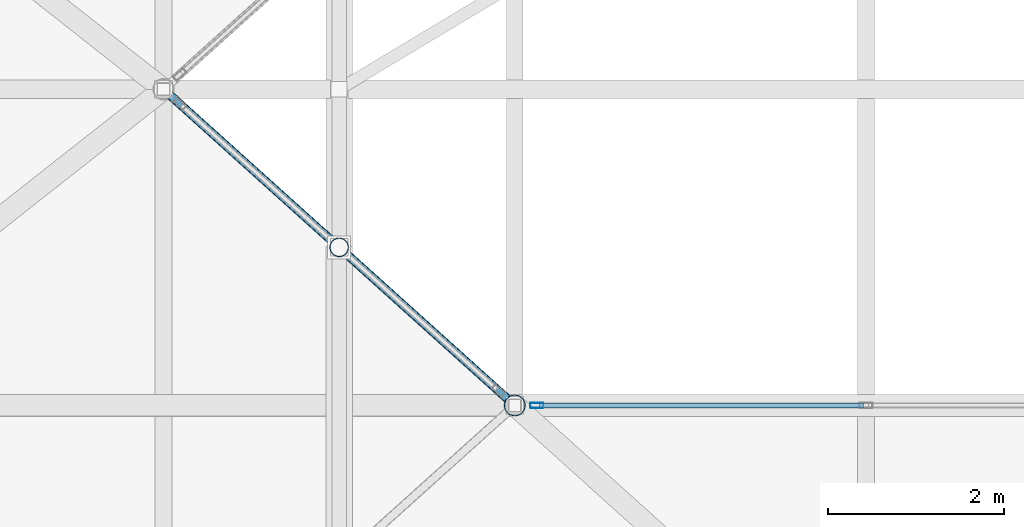
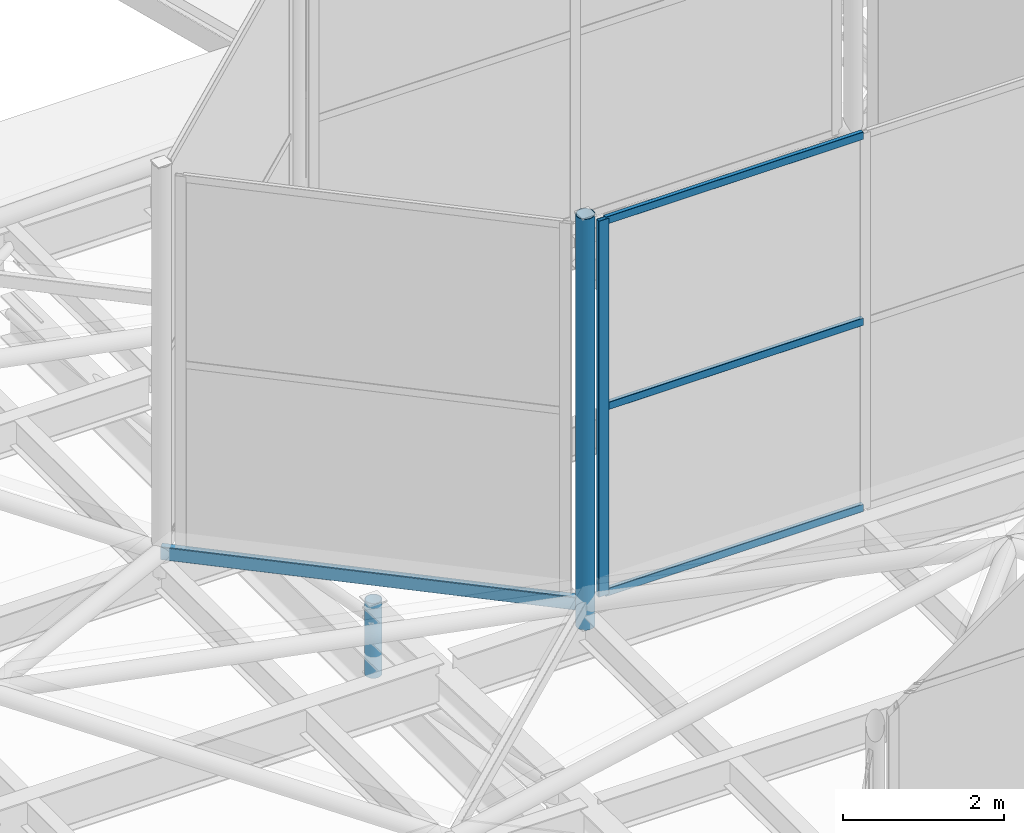
# One storey, part 68 of 239: 6 members, 1 beam, 1 element without a shape of its own.
"""IFC4 building model written with IfcOpenShell, lengths in metres."""

from ifc_helpers import new_model, si_unit, direction, frame, origin, origin_2d, place, context, subcontext, project, spatial, hollow_rectangle, hollow_circle, extrude, material, layer, layer_set, material_profile, profile_set, type_object, element, aggregate, save


model = new_model("IFC4")

# Units and contexts
model_context = context("Model", 3, precision=1e-05, world=origin(), true_north=direction((0.0, 1.0)))
body_context = subcontext(model_context, "Body", "Model", "MODEL_VIEW")
ifc_project = project(units=[si_unit("LENGTHUNIT", "METRE"), si_unit("AREAUNIT", "SQUARE_METRE"), si_unit("VOLUMEUNIT", "CUBIC_METRE"), si_unit("PLANEANGLEUNIT", "RADIAN"), si_unit("MASSUNIT", "GRAM", prefix="KILO")], contexts=[model_context])

# Site, building, storey
site_placement = place(None, origin())
site = spatial("IfcSite", under=ifc_project, at=site_placement, CompositionType="ELEMENT")
building_placement = place(site_placement, origin())
building = spatial("IfcBuilding", under=site, at=building_placement, Name="Dunvalen Ferry Terminal", CompositionType="ELEMENT")
storey_placement = place(building_placement, frame((0.0, 0.0, 9.840087890625)))
storey = spatial("IfcBuildingStorey", under=building, at=storey_placement, Name="L02", CompositionType="ELEMENT", Elevation=9.840087890625)

# Curtain wall, members
ifc_material_1 = material(Name="Anodised marine aluminium and solar-control glazing", Category="aluminium")
ifc_layer = layer(ifc_material_1, 0.179931640625, Name="Anodised marine aluminium and solar-control glazing")
ifc_layer_set = layer_set([ifc_layer], Name="Anodised marine aluminium and solar-control glazing")
curtain_wall_type = type_object("IfcCurtainWallType", Name="ENV-CW-SYS-06", PredefinedType="NOTDEFINED", material=ifc_layer_set)
curtain_wall_placement = place(storey_placement, origin())
curtain_wall = element("IfcCurtainWall", 1, at=curtain_wall_placement, inside=storey, type_object=curtain_wall_type, Name="L02 Curtain Wall CW-HEX-16-SK-2", PredefinedType="NOTDEFINED")
ifc_material_2 = material(Name="Anodised marine aluminium EN AW-6063 T6", Category="aluminium")
ifc_material_profile_1 = material_profile(ifc_material_2, hollow_rectangle(XDim=0.06005859375, YDim=0.14990234375, WallThickness=0.00341796875, InnerFilletRadius=0.00341796875, OuterFilletRadius=0.007080078125, at=origin_2d()), Name="Anodised marine aluminium EN AW-6063 T6")
ifc_profile_set_1 = profile_set([ifc_material_profile_1], Name="Anodised marine aluminium EN AW-6063 T6")
member_type_1 = type_object("IfcMemberType", Name="ENV-CW-MUL-3", PredefinedType="MULLION", material=ifc_profile_set_1)
member_1_placement = place(storey_placement, frame((26.25, 75.60009765625, 1.139892578125), z_axis=(0.0, 0.0, 1.0), x_axis=(0.0, 1.0, 0.0)))
member_1 = element("IfcMember", 2, at=member_1_placement, type_object=member_type_1, Name="CW-06 mullion 1", PredefinedType="MULLION", context=body_context, shape_type="SweptSolid", body=[
    extrude(hollow_rectangle(XDim=0.06005859375, YDim=0.14990234375, WallThickness=0.00341796875, InnerFilletRadius=0.00341796875, OuterFilletRadius=0.007080078125, at=origin_2d()), origin(), (0.0, 0.0, 1.0), 5.699951171875),
])
ifc_material_profile_2 = material_profile(ifc_material_2, hollow_rectangle(XDim=0.06005859375, YDim=0.114990234375, WallThickness=0.0029296875, InnerFilletRadius=0.0029296875, OuterFilletRadius=0.006103515625, at=origin_2d()), Name="Anodised marine aluminium EN AW-6063 T6")
ifc_profile_set_2 = profile_set([ifc_material_profile_2], Name="Anodised marine aluminium EN AW-6063 T6")
member_type_2 = type_object("IfcMemberType", Name="ENV-CW-TRN-3", PredefinedType="USERDEFINED", material=ifc_profile_set_2)
member_2_placement = place(storey_placement, frame((26.280029296875, 75.60009765625, 1.169921875), z_axis=(1.0, 0.0, 0.0), x_axis=(0.0, 1.0, 0.0)))
member_2 = element("IfcMember", 3, at=member_2_placement, type_object=member_type_2, Name="CW-06 transom 1.1", ObjectType="TRANSOM", PredefinedType="USERDEFINED", context=body_context, shape_type="SweptSolid", body=[
    extrude(hollow_rectangle(XDim=0.06005859375, YDim=0.114990234375, WallThickness=0.0029296875, InnerFilletRadius=0.0029296875, OuterFilletRadius=0.006103515625, at=origin_2d()), origin(), (0.0, 0.0, 1.0), 3.68994140625),
])
member_3_placement = place(storey_placement, frame((26.280029296875, 75.60009765625, 3.989990234375), z_axis=(1.0, 0.0, 0.0), x_axis=(0.0, 1.0, 0.0)))
member_3 = element("IfcMember", 4, at=member_3_placement, type_object=member_type_2, Name="CW-06 transom 1.2", ObjectType="TRANSOM", PredefinedType="USERDEFINED", context=body_context, shape_type="SweptSolid", body=[
    extrude(hollow_rectangle(XDim=0.06005859375, YDim=0.114990234375, WallThickness=0.0029296875, InnerFilletRadius=0.0029296875, OuterFilletRadius=0.006103515625, at=origin_2d()), origin(), (0.0, 0.0, 1.0), 3.68994140625),
])
member_4_placement = place(storey_placement, frame((26.280029296875, 75.60009765625, 6.809814453125), z_axis=(1.0, 0.0, 0.0), x_axis=(0.0, 1.0, 0.0)))
member_4 = element("IfcMember", 5, at=member_4_placement, type_object=member_type_2, Name="CW-06 transom 1.3", ObjectType="TRANSOM", PredefinedType="USERDEFINED", context=body_context, shape_type="SweptSolid", body=[
    extrude(hollow_rectangle(XDim=0.06005859375, YDim=0.114990234375, WallThickness=0.0029296875, InnerFilletRadius=0.0029296875, OuterFilletRadius=0.006103515625, at=origin_2d()), origin(), (0.0, 0.0, 1.0), 3.68994140625),
])
aggregate(curtain_wall, [member_1, member_2, member_3, member_4])

# Beam
ifc_material_3 = material(Name="Steel S355", Category="steel")
ifc_material_profile_3 = material_profile(ifc_material_3, hollow_rectangle(XDim=0.10009765625, YDim=0.199951171875, WallThickness=0.008056640625, InnerFilletRadius=0.008056640625, OuterFilletRadius=0.01611328125, at=origin_2d()), Name="Steel S355")
ifc_profile_set_3 = profile_set([ifc_material_profile_3], Name="Steel S355")
beam_type = type_object("IfcBeamType", Name="STR-BM-RHS200", PredefinedType="BEAM", material=ifc_profile_set_3)
beam_placement = place(storey_placement, frame((26.0, 75.60009765625, 1.099853515625), z_axis=(-0.74330768127, 0.668949692402, 0.0), x_axis=(-0.668949692402, -0.74330768127, 0.0)))
element("IfcBeam", 6, at=beam_placement, inside=storey, type_object=beam_type, Name="HEX-10 Hexagonal Rim Beam 5", PredefinedType="BEAM", context=body_context, shape_type="SweptSolid", body=[
    extrude(hollow_rectangle(XDim=0.10009765625, YDim=0.199951171875, WallThickness=0.008056640625, InnerFilletRadius=0.008056640625, OuterFilletRadius=0.01611328125, at=origin_2d()), origin(), (0.0, 0.0, 1.0), 5.38134765625),
])

# Members
ifc_material_profile_4 = material_profile(ifc_material_3, hollow_circle(Radius=0.109619140625, WallThickness=0.010009765625, at=origin_2d()), Name="Steel S355")
ifc_profile_set_4 = profile_set([ifc_material_profile_4], Name="Steel S355")
member_type_3 = type_object("IfcMemberType", Name="STR-MB-CHS219", PredefinedType="STRUT", material=ifc_profile_set_4)
member_5_placement = place(storey_placement, frame((24.0, 77.39990234375, -0.360107421875), z_axis=(0.0, 0.0, 1.0), x_axis=(1.0, 0.0, 0.0)))
element("IfcMember", 7, at=member_5_placement, inside=storey, type_object=member_type_3, Name="Departure Hall Arch Spandrel Strut 02.6", PredefinedType="STRUT", context=body_context, shape_type="SweptSolid", body=[
    extrude(hollow_circle(Radius=0.109619140625, WallThickness=0.010009765625, at=origin_2d()), origin(), (0.0, 0.0, 1.0), 1.130126953125),
])
ifc_material_profile_5 = material_profile(ifc_material_3, hollow_circle(Radius=0.122314453125, WallThickness=0.010009765625, at=origin_2d()), Name="Steel S355")
ifc_profile_set_5 = profile_set([ifc_material_profile_5], Name="Steel S355")
member_type_4 = type_object("IfcMemberType", Name="STR-MB-CHS244", PredefinedType="STRUT", material=ifc_profile_set_5)
member_6_placement = place(storey_placement, frame((26.0, 75.60009765625, 0.77001953125), z_axis=(0.0, 0.0, 1.0), x_axis=(1.0, 0.0, 0.0)))
element("IfcMember", 8, at=member_6_placement, inside=storey, type_object=member_type_4, Name="HEX-16 Skylight Lantern Corner Strut 2", PredefinedType="STRUT", context=body_context, shape_type="SweptSolid", body=[
    extrude(hollow_circle(Radius=0.122314453125, WallThickness=0.010009765625, at=origin_2d()), origin(), (0.0, 0.0, 1.0), 6.22998046875),
])

save(model, "model.ifc")
